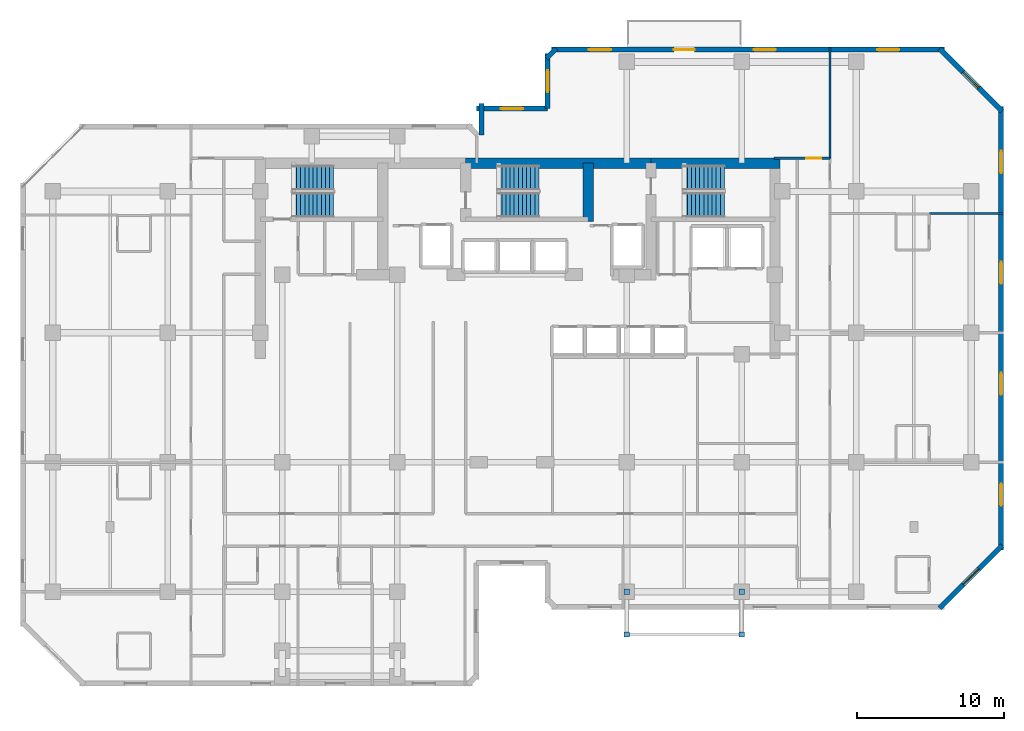
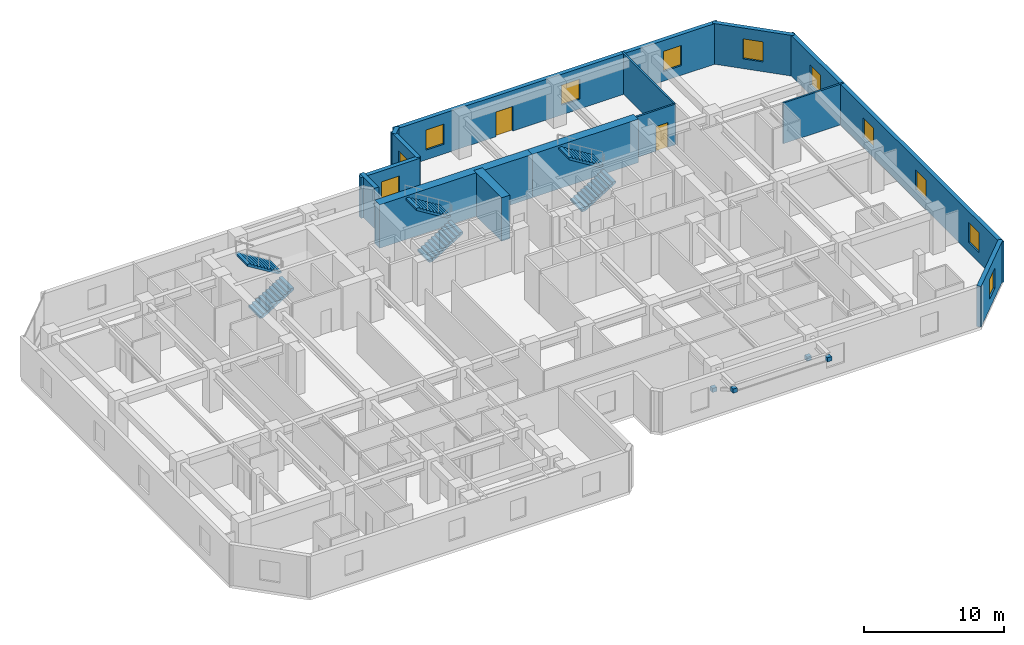
# One storey, part 9 of 10: 14 walls, 11 windows, 6 stair flights, 4 discrete accessories, 2 doors, 13 openings, 3 elements without a shape of their own.
"""IFC4 building model written with IfcOpenShell, lengths in metres."""

from ifc_helpers import new_model, si_unit, direction, frame, frame_2d, origin, origin_2d, place, context, subcontext, project, spatial, polyline, rectangle, outline, extrude, material, layer, layer_set, type_object, element, fill, aggregate, save


model = new_model("IFC4")

# Units and contexts
model_context = context("Model", 3, precision=1e-05, world=origin(), true_north=direction((0.0, 1.0)))
body_context = subcontext(model_context, "Body", "Model", "MODEL_VIEW")
ifc_project = project(units=[si_unit("LENGTHUNIT", "METRE"), si_unit("AREAUNIT", "SQUARE_METRE"), si_unit("VOLUMEUNIT", "CUBIC_METRE"), si_unit("PLANEANGLEUNIT", "RADIAN"), si_unit("MASSUNIT", "GRAM", prefix="KILO")], contexts=[model_context])

# Site, building, storey
site_placement = place(None, origin())
site = spatial("IfcSite", under=ifc_project, at=site_placement, CompositionType="ELEMENT")
building_placement = place(site_placement, origin())
building = spatial("IfcBuilding", under=site, at=building_placement, Name="Kestravale Grand Hotel", CompositionType="ELEMENT")
storey_placement = place(building_placement, frame((0.0, 0.0, 153.60009765625)))
storey = spatial("IfcBuildingStorey", under=building, at=storey_placement, Name="L38", CompositionType="ELEMENT", Elevation=153.60009765625)

# Walls
ifc_material_1 = material(Name="Concrete f'c 60 MPa", Category="concrete")
ifc_layer_1 = layer(ifc_material_1, 0.699951171875)
ifc_layer_set_1 = layer_set([ifc_layer_1], Name="EW-CORE-700")
wall_type_1 = type_object("IfcWallType", Name="EW-CORE-700", PredefinedType="SHEAR", material=ifc_layer_set_1)
wall_1_placement = place(storey_placement, frame((35.85009765625, 40.320068359375, 0.0), z_axis=(0.0, 0.0, 1.0), x_axis=(1.0, 0.0, 0.0)))
element("IfcWall", 1, at=wall_1_placement, inside=storey, type_object=wall_type_1, Name="L38 core shear wall N2", PredefinedType="SHEAR", context=body_context, shape_type="SweptSolid", body=[
    extrude(rectangle(XDim=12.599853515625, YDim=0.699951171875, at=frame_2d((6.2998046875, 0.0))), origin(), (0.0, 0.0, 1.0), 3.7998046875),
])
wall_2_placement = place(storey_placement, frame((48.449951171875, 40.320068359375, 0.0), z_axis=(0.0, 0.0, 1.0), x_axis=(1.0, 0.0, 0.0)))
element("IfcWall", 2, at=wall_2_placement, inside=storey, type_object=wall_type_1, Name="L38 core shear wall N3", PredefinedType="SHEAR", context=body_context, shape_type="SweptSolid", body=[
    extrude(rectangle(XDim=8.77001953125, YDim=0.699951171875, at=frame_2d((4.385009765625, 0.0))), origin(), (0.0, 0.0, 1.0), 3.7998046875),
])
wall_3_placement = place(storey_placement, frame((44.179931640625, 36.3701171875, 0.0), z_axis=(0.0, 0.0, 1.0), x_axis=(0.0, 1.0, 0.0)))
element("IfcWall", 3, at=wall_3_placement, inside=storey, type_object=wall_type_1, Name="L38 core shear wall X3", PredefinedType="SHEAR", context=body_context, shape_type="SweptSolid", body=[
    extrude(rectangle(XDim=3.949951171875, YDim=0.699951171875, at=frame_2d((1.97509765625, 0.0))), origin(), (0.0, 0.0, 1.0), 3.7998046875),
])

# Wall, opening, window
ifc_material_2 = material(Name="Precast concrete f'c 45 MPa", Category="concrete")
ifc_layer_2 = layer(ifc_material_2, 0.340087890625)
ifc_layer_set_2 = layer_set([ifc_layer_2], Name="EW-PREC-340")
wall_type_2 = type_object("IfcWallType", Name="EW-PREC-340", PredefinedType="SOLIDWALL", material=ifc_layer_set_2)
wall_4_placement = place(storey_placement, frame((68.051513671875, 10.091796875, 0.0), z_axis=(0.0, 0.0, 1.0), x_axis=(0.707106781187, 0.707106781187, 0.0)))
wall_4 = element("IfcWall", 4, at=wall_4_placement, inside=storey, type_object=wall_type_2, Name="L38 fluted precast facade wall 8", PredefinedType="SOLIDWALL", context=body_context, shape_type="SweptSolid", body=[
    extrude(rectangle(XDim=6.019775390625, YDim=0.340087890625, at=frame_2d((3.009765625, 0.0))), origin(), (0.0, 0.0, 1.0), 3.5498046875),
])
opening_1_placement = place(wall_4_placement, frame((2.260009765625, 0.0, 0.85009765625)))
opening_1 = element("IfcOpeningElement", 5, at=opening_1_placement, cuts=wall_4, Name="Opening W-GUEST-1500", PredefinedType="OPENING", context=body_context, shape_type="SweptSolid", body=[
    extrude(rectangle(XDim=1.5, YDim=1.75, at=frame_2d((0.75, 0.875))), frame((0.0, 0.179931640625, 0.0), z_axis=(0.0, -1.0, 0.0), x_axis=(1.0, 0.0, 0.0)), (0.0, 0.0, 1.0), 0.360107421875),
])
ifc_material_3 = material(Name="Insulated low-E double glazing in aluminium frame", Category="aluminium")
window_type = type_object("IfcWindowType", Name="W-GUEST-1500", PartitioningType="SINGLE_PANEL", PredefinedType="WINDOW", material=ifc_material_3)
window_1_placement = place(opening_1_placement, origin())
window_1 = element("IfcWindow", 6, at=window_1_placement, inside=storey, type_object=window_type, Name="L38 exterior window 8.1", OverallHeight=1.75, OverallWidth=1.5, PartitioningType="SINGLE_PANEL", PredefinedType="WINDOW", context=body_context, shape_type="SweptSolid", body=[
    extrude(rectangle(XDim=1.5, YDim=1.75, at=frame_2d((0.75, 0.875))), frame((0.0, 0.030029296875, 0.0), z_axis=(0.0, -1.0, 0.0), x_axis=(1.0, 0.0, 0.0)), (0.0, 0.0, 1.0), 0.06005859375),
])
fill(opening_1, window_1)

# Wall, openings, windows
wall_5_placement = place(storey_placement, frame((72.22998046875, 14.030029296875, 0.0), z_axis=(0.0, 0.0, 1.0), x_axis=(0.0, 1.0, 0.0)))
wall_5 = element("IfcWall", 7, at=wall_5_placement, inside=storey, type_object=wall_type_2, Name="L38 fluted precast facade wall 9", PredefinedType="SOLIDWALL", context=body_context, shape_type="SweptSolid", body=[
    extrude(rectangle(XDim=30.139892578125, YDim=0.340087890625, at=frame_2d((15.06982421875, 0.0))), origin(), (0.0, 0.0, 1.0), 3.5498046875),
])
opening_2_placement = place(wall_5_placement, frame((3.017578125, 0.0, 0.85009765625)))
opening_2 = element("IfcOpeningElement", 8, at=opening_2_placement, cuts=wall_5, Name="Opening W-GUEST-1500", PredefinedType="OPENING", context=body_context, shape_type="SweptSolid", body=[
    extrude(rectangle(XDim=1.5, YDim=1.75, at=frame_2d((0.75, 0.875))), frame((0.0, 0.179931640625, 0.0), z_axis=(0.0, -1.0, 0.0), x_axis=(1.0, 0.0, 0.0)), (0.0, 0.0, 1.0), 0.360107421875),
])
opening_3_placement = place(wall_5_placement, frame((10.552490234375, 0.0, 0.85009765625)))
opening_3 = element("IfcOpeningElement", 9, at=opening_3_placement, cuts=wall_5, Name="Opening W-GUEST-1500", PredefinedType="OPENING", context=body_context, shape_type="SweptSolid", body=[
    extrude(rectangle(XDim=1.5, YDim=1.75, at=frame_2d((0.75, 0.875))), frame((0.0, 0.179931640625, 0.0), z_axis=(0.0, -1.0, 0.0), x_axis=(1.0, 0.0, 0.0)), (0.0, 0.0, 1.0), 0.360107421875),
])
opening_4_placement = place(wall_5_placement, frame((18.08740234375, 0.0, 0.85009765625)))
opening_4 = element("IfcOpeningElement", 10, at=opening_4_placement, cuts=wall_5, Name="Opening W-GUEST-1500", PredefinedType="OPENING", context=body_context, shape_type="SweptSolid", body=[
    extrude(rectangle(XDim=1.5, YDim=1.75, at=frame_2d((0.75, 0.875))), frame((0.0, 0.179931640625, 0.0), z_axis=(0.0, -1.0, 0.0), x_axis=(1.0, 0.0, 0.0)), (0.0, 0.0, 1.0), 0.360107421875),
])
opening_5_placement = place(wall_5_placement, frame((25.62255859375, 0.0, 0.85009765625)))
opening_5 = element("IfcOpeningElement", 11, at=opening_5_placement, cuts=wall_5, Name="Opening W-GUEST-1500", PredefinedType="OPENING", context=body_context, shape_type="SweptSolid", body=[
    extrude(rectangle(XDim=1.5, YDim=1.75, at=frame_2d((0.75, 0.875))), frame((0.0, 0.179931640625, 0.0), z_axis=(0.0, -1.0, 0.0), x_axis=(1.0, 0.0, 0.0)), (0.0, 0.0, 1.0), 0.360107421875),
])
window_2_placement = place(opening_2_placement, origin())
window_2 = element("IfcWindow", 12, at=window_2_placement, inside=storey, type_object=window_type, Name="L38 exterior window 9.1", OverallHeight=1.75, OverallWidth=1.5, PartitioningType="SINGLE_PANEL", PredefinedType="WINDOW", context=body_context, shape_type="SweptSolid", body=[
    extrude(rectangle(XDim=1.5, YDim=1.75, at=frame_2d((0.75, 0.875))), frame((0.0, 0.030029296875, 0.0), z_axis=(0.0, -1.0, 0.0), x_axis=(1.0, 0.0, 0.0)), (0.0, 0.0, 1.0), 0.06005859375),
])
fill(opening_2, window_2)
window_3_placement = place(opening_3_placement, origin())
window_3 = element("IfcWindow", 13, at=window_3_placement, inside=storey, type_object=window_type, Name="L38 exterior window 9.2", OverallHeight=1.75, OverallWidth=1.5, PartitioningType="SINGLE_PANEL", PredefinedType="WINDOW", context=body_context, shape_type="SweptSolid", body=[
    extrude(rectangle(XDim=1.5, YDim=1.75, at=frame_2d((0.75, 0.875))), frame((0.0, 0.030029296875, 0.0), z_axis=(0.0, -1.0, 0.0), x_axis=(1.0, 0.0, 0.0)), (0.0, 0.0, 1.0), 0.06005859375),
])
fill(opening_3, window_3)
window_4_placement = place(opening_4_placement, origin())
window_4 = element("IfcWindow", 14, at=window_4_placement, inside=storey, type_object=window_type, Name="L38 exterior window 9.3", OverallHeight=1.75, OverallWidth=1.5, PartitioningType="SINGLE_PANEL", PredefinedType="WINDOW", context=body_context, shape_type="SweptSolid", body=[
    extrude(rectangle(XDim=1.5, YDim=1.75, at=frame_2d((0.75, 0.875))), frame((0.0, 0.030029296875, 0.0), z_axis=(0.0, -1.0, 0.0), x_axis=(1.0, 0.0, 0.0)), (0.0, 0.0, 1.0), 0.06005859375),
])
fill(opening_4, window_4)
window_5_placement = place(opening_5_placement, origin())
window_5 = element("IfcWindow", 15, at=window_5_placement, inside=storey, type_object=window_type, Name="L38 exterior window 9.4", OverallHeight=1.75, OverallWidth=1.5, PartitioningType="SINGLE_PANEL", PredefinedType="WINDOW", context=body_context, shape_type="SweptSolid", body=[
    extrude(rectangle(XDim=1.5, YDim=1.75, at=frame_2d((0.75, 0.875))), frame((0.0, 0.030029296875, 0.0), z_axis=(0.0, -1.0, 0.0), x_axis=(1.0, 0.0, 0.0)), (0.0, 0.0, 1.0), 0.06005859375),
])
fill(opening_5, window_5)

# Wall, opening, window
wall_6_placement = place(storey_placement, frame((72.30810546875, 43.8515625, 0.0), z_axis=(0.0, 0.0, 1.0), x_axis=(-0.707106781187, 0.707106781187, 0.0)))
wall_6 = element("IfcWall", 16, at=wall_6_placement, inside=storey, type_object=wall_type_2, Name="L38 fluted precast facade wall 10", PredefinedType="SOLIDWALL", context=body_context, shape_type="SweptSolid", body=[
    extrude(rectangle(XDim=6.019775390625, YDim=0.340087890625, at=frame_2d((3.009765625, 0.0))), origin(), (0.0, 0.0, 1.0), 3.5498046875),
])
opening_6_placement = place(wall_6_placement, frame((2.260009765625, 0.0, 0.85009765625)))
opening_6 = element("IfcOpeningElement", 17, at=opening_6_placement, cuts=wall_6, Name="Opening W-GUEST-1500", PredefinedType="OPENING", context=body_context, shape_type="SweptSolid", body=[
    extrude(rectangle(XDim=1.5, YDim=1.75, at=frame_2d((0.75, 0.875))), frame((0.0, 0.179931640625, 0.0), z_axis=(0.0, -1.0, 0.0), x_axis=(1.0, 0.0, 0.0)), (0.0, 0.0, 1.0), 0.360107421875),
])
window_6_placement = place(opening_6_placement, origin())
window_6 = element("IfcWindow", 18, at=window_6_placement, inside=storey, type_object=window_type, Name="L38 exterior window 10.1", OverallHeight=1.75, OverallWidth=1.5, PartitioningType="SINGLE_PANEL", PredefinedType="WINDOW", context=body_context, shape_type="SweptSolid", body=[
    extrude(rectangle(XDim=1.5, YDim=1.75, at=frame_2d((0.75, 0.875))), frame((0.0, 0.030029296875, 0.0), z_axis=(0.0, -1.0, 0.0), x_axis=(1.0, 0.0, 0.0)), (0.0, 0.0, 1.0), 0.06005859375),
])
fill(opening_6, window_6)

# Wall, openings, door, windows
wall_7_placement = place(storey_placement, frame((68.3701171875, 48.030029296875, 0.0), z_axis=(0.0, 0.0, 1.0), x_axis=(-1.0, 0.0, 0.0)))
wall_7 = element("IfcWall", 19, at=wall_7_placement, inside=storey, type_object=wall_type_2, Name="L38 fluted precast facade wall 11", PredefinedType="SOLIDWALL", context=body_context, shape_type="SweptSolid", body=[
    extrude(rectangle(XDim=26.690185546875, YDim=0.340087890625, at=frame_2d((13.34521484375, 0.0))), origin(), (0.0, 0.0, 1.0), 3.5498046875),
])
opening_7_placement = place(wall_7_placement, frame((16.969970703125, 0.0, 0.0)))
opening_7 = element("IfcOpeningElement", 20, at=opening_7_placement, cuts=wall_7, Name="Opening D-TERR-1400", PredefinedType="OPENING", context=body_context, shape_type="SweptSolid", body=[
    extrude(rectangle(XDim=1.39990234375, YDim=2.14990234375, at=frame_2d((0.699951171875, 1.074951171875))), frame((0.0, 0.179931640625, 0.0), z_axis=(0.0, -1.0, 0.0), x_axis=(1.0, 0.0, 0.0)), (0.0, 0.0, 1.0), 0.360107421875),
])
opening_8_placement = place(wall_7_placement, frame((3.04833984375, 0.0, 0.85009765625)))
opening_8 = element("IfcOpeningElement", 21, at=opening_8_placement, cuts=wall_7, Name="Opening W-GUEST-1500", PredefinedType="OPENING", context=body_context, shape_type="SweptSolid", body=[
    extrude(rectangle(XDim=1.5, YDim=1.75, at=frame_2d((0.75, 0.875))), frame((0.0, 0.179931640625, 0.0), z_axis=(0.0, -1.0, 0.0), x_axis=(1.0, 0.0, 0.0)), (0.0, 0.0, 1.0), 0.360107421875),
])
opening_9_placement = place(wall_7_placement, frame((11.445068359375, 0.0, 0.85009765625)))
opening_9 = element("IfcOpeningElement", 22, at=opening_9_placement, cuts=wall_7, Name="Opening W-GUEST-1500", PredefinedType="OPENING", context=body_context, shape_type="SweptSolid", body=[
    extrude(rectangle(XDim=1.5, YDim=1.75, at=frame_2d((0.75, 0.875))), frame((0.0, 0.179931640625, 0.0), z_axis=(0.0, -1.0, 0.0), x_axis=(1.0, 0.0, 0.0)), (0.0, 0.0, 1.0), 0.360107421875),
])
opening_10_placement = place(wall_7_placement, frame((22.6416015625, 0.0, 0.85009765625)))
opening_10 = element("IfcOpeningElement", 23, at=opening_10_placement, cuts=wall_7, Name="Opening W-GUEST-1500", PredefinedType="OPENING", context=body_context, shape_type="SweptSolid", body=[
    extrude(rectangle(XDim=1.5, YDim=1.75, at=frame_2d((0.75, 0.875))), frame((0.0, 0.179931640625, 0.0), z_axis=(0.0, -1.0, 0.0), x_axis=(1.0, 0.0, 0.0)), (0.0, 0.0, 1.0), 0.360107421875),
])
ifc_material_4 = material(Name="Insulated glazed champagne-bronze aluminium door", Category="aluminium")
door_type_1 = type_object("IfcDoorType", Name="D-TERR-1400", OperationType="NOTDEFINED", PredefinedType="DOOR", material=ifc_material_4)
door_1_placement = place(opening_7_placement, origin())
door_1 = element("IfcDoor", 24, at=door_1_placement, inside=storey, type_object=door_type_1, Name="L38 outdoor garden terrace door", OperationType="DOUBLE_DOOR_SINGLE_SWING", OverallHeight=2.14990234375, OverallWidth=1.39990234375, PredefinedType="DOOR", context=body_context, shape_type="SweptSolid", body=[
    extrude(rectangle(XDim=1.39990234375, YDim=2.14990234375, at=frame_2d((0.699951171875, 1.074951171875))), frame((0.0, 0.02490234375, 0.0), z_axis=(0.0, -1.0, 0.0), x_axis=(1.0, 0.0, 0.0)), (0.0, 0.0, 1.0), 0.050048828125),
])
fill(opening_7, door_1)
window_7_placement = place(opening_8_placement, origin())
window_7 = element("IfcWindow", 25, at=window_7_placement, inside=storey, type_object=window_type, Name="L38 exterior window 11.1", OverallHeight=1.75, OverallWidth=1.5, PartitioningType="SINGLE_PANEL", PredefinedType="WINDOW", context=body_context, shape_type="SweptSolid", body=[
    extrude(rectangle(XDim=1.5, YDim=1.75, at=frame_2d((0.75, 0.875))), frame((0.0, 0.030029296875, 0.0), z_axis=(0.0, -1.0, 0.0), x_axis=(1.0, 0.0, 0.0)), (0.0, 0.0, 1.0), 0.06005859375),
])
fill(opening_8, window_7)
window_8_placement = place(opening_9_placement, origin())
window_8 = element("IfcWindow", 26, at=window_8_placement, inside=storey, type_object=window_type, Name="L38 exterior window 11.2", OverallHeight=1.75, OverallWidth=1.5, PartitioningType="SINGLE_PANEL", PredefinedType="WINDOW", context=body_context, shape_type="SweptSolid", body=[
    extrude(rectangle(XDim=1.5, YDim=1.75, at=frame_2d((0.75, 0.875))), frame((0.0, 0.030029296875, 0.0), z_axis=(0.0, -1.0, 0.0), x_axis=(1.0, 0.0, 0.0)), (0.0, 0.0, 1.0), 0.06005859375),
])
fill(opening_9, window_8)
window_9_placement = place(opening_10_placement, origin())
window_9 = element("IfcWindow", 27, at=window_9_placement, inside=storey, type_object=window_type, Name="L38 exterior window 11.3", OverallHeight=1.75, OverallWidth=1.5, PartitioningType="SINGLE_PANEL", PredefinedType="WINDOW", context=body_context, shape_type="SweptSolid", body=[
    extrude(rectangle(XDim=1.5, YDim=1.75, at=frame_2d((0.75, 0.875))), frame((0.0, 0.030029296875, 0.0), z_axis=(0.0, -1.0, 0.0), x_axis=(1.0, 0.0, 0.0)), (0.0, 0.0, 1.0), 0.06005859375),
])
fill(opening_10, window_9)

# Wall
wall_8_placement = place(storey_placement, frame((41.99853515625, 48.108154296875, 0.0), z_axis=(0.0, 0.0, 1.0), x_axis=(-0.707106781187, -0.707106781187, 0.0)))
element("IfcWall", 28, at=wall_8_placement, inside=storey, type_object=wall_type_2, Name="L38 fluted precast facade wall 12", PredefinedType="SOLIDWALL", context=body_context, shape_type="SweptSolid", body=[
    extrude(rectangle(XDim=0.9287109375, YDim=0.340087890625, at=frame_2d((0.46435546875, 0.0))), origin(), (0.0, 0.0, 1.0), 3.5498046875),
])

# Wall, opening, window
wall_9_placement = place(storey_placement, frame((41.419921875, 47.77001953125, 0.0), z_axis=(0.0, 0.0, 1.0), x_axis=(0.0, -1.0, 0.0)))
wall_9 = element("IfcWall", 29, at=wall_9_placement, inside=storey, type_object=wall_type_2, Name="L38 fluted precast facade wall 13", PredefinedType="SOLIDWALL", context=body_context, shape_type="SweptSolid", body=[
    extrude(rectangle(XDim=3.739990234375, YDim=0.340087890625, at=frame_2d((1.8701171875, 0.0))), origin(), (0.0, 0.0, 1.0), 3.5498046875),
])
opening_11_placement = place(wall_9_placement, frame((1.1201171875, 0.0, 0.85009765625)))
opening_11 = element("IfcOpeningElement", 30, at=opening_11_placement, cuts=wall_9, Name="Opening W-GUEST-1500", PredefinedType="OPENING", context=body_context, shape_type="SweptSolid", body=[
    extrude(rectangle(XDim=1.5, YDim=1.75, at=frame_2d((0.75, 0.875))), frame((0.0, 0.179931640625, 0.0), z_axis=(0.0, -1.0, 0.0), x_axis=(1.0, 0.0, 0.0)), (0.0, 0.0, 1.0), 0.360107421875),
])
window_10_placement = place(opening_11_placement, origin())
window_10 = element("IfcWindow", 31, at=window_10_placement, inside=storey, type_object=window_type, Name="L38 exterior window 13.1", OverallHeight=1.75, OverallWidth=1.5, PartitioningType="SINGLE_PANEL", PredefinedType="WINDOW", context=body_context, shape_type="SweptSolid", body=[
    extrude(rectangle(XDim=1.5, YDim=1.75, at=frame_2d((0.75, 0.875))), frame((0.0, 0.030029296875, 0.0), z_axis=(0.0, -1.0, 0.0), x_axis=(1.0, 0.0, 0.0)), (0.0, 0.0, 1.0), 0.06005859375),
])
fill(opening_11, window_10)

wall_10_placement = place(storey_placement, frame((41.419921875, 44.030029296875, 0.0), z_axis=(0.0, 0.0, 1.0), x_axis=(-1.0, 0.0, 0.0)))
wall_10 = element("IfcWall", 32, at=wall_10_placement, inside=storey, type_object=wall_type_2, Name="L38 fluted precast facade wall 14", PredefinedType="SOLIDWALL", context=body_context, shape_type="SweptSolid", body=[
    extrude(rectangle(XDim=4.83984375, YDim=0.340087890625, at=frame_2d((2.419921875, 0.0))), origin(), (0.0, 0.0, 1.0), 3.5498046875),
])
opening_12_placement = place(wall_10_placement, frame((1.669921875, 0.0, 0.85009765625)))
opening_12 = element("IfcOpeningElement", 33, at=opening_12_placement, cuts=wall_10, Name="Opening W-GUEST-1500", PredefinedType="OPENING", context=body_context, shape_type="SweptSolid", body=[
    extrude(rectangle(XDim=1.5, YDim=1.75, at=frame_2d((0.75, 0.875))), frame((0.0, 0.179931640625, 0.0), z_axis=(0.0, -1.0, 0.0), x_axis=(1.0, 0.0, 0.0)), (0.0, 0.0, 1.0), 0.360107421875),
])
window_11_placement = place(opening_12_placement, origin())
window_11 = element("IfcWindow", 34, at=window_11_placement, inside=storey, type_object=window_type, Name="L38 exterior window 14.1", OverallHeight=1.75, OverallWidth=1.5, PartitioningType="SINGLE_PANEL", PredefinedType="WINDOW", context=body_context, shape_type="SweptSolid", body=[
    extrude(rectangle(XDim=1.5, YDim=1.75, at=frame_2d((0.75, 0.875))), frame((0.0, 0.030029296875, 0.0), z_axis=(0.0, -1.0, 0.0), x_axis=(1.0, 0.0, 0.0)), (0.0, 0.0, 1.0), 0.06005859375),
])
fill(opening_12, window_11)

# Wall
wall_11_placement = place(storey_placement, frame((36.919921875, 44.3701171875, 0.0), z_axis=(0.0, 0.0, 1.0), x_axis=(0.0, -1.0, 0.0)))
element("IfcWall", 35, at=wall_11_placement, inside=storey, type_object=wall_type_2, Name="L38 fluted precast facade wall 15", PredefinedType="SOLIDWALL", context=body_context, shape_type="SweptSolid", body=[
    extrude(rectangle(XDim=2.14013671875, YDim=0.340087890625, at=frame_2d((1.070068359375, 0.0))), origin(), (0.0, 0.0, 1.0), 3.5498046875),
])

# Wall, opening, door
ifc_material_5 = material(Name="Double-stud STC 52 acoustic demising partition", Category="other")
ifc_layer_3 = layer(ifc_material_5, 0.14990234375)
ifc_layer_set_3 = layer_set([ifc_layer_3], Name="IW-UNIT-150")
wall_type_3 = type_object("IfcWallType", Name="IW-UNIT-150", PredefinedType="PARTITIONING", material=ifc_layer_set_3)
wall_12_placement = place(storey_placement, frame((56.800048828125, 40.64990234375, 0.0), z_axis=(0.0, 0.0, 1.0), x_axis=(1.0, 0.0, 0.0)))
wall_12 = element("IfcWall", 36, at=wall_12_placement, inside=storey, type_object=wall_type_3, Name="W-L38-SE-N", PredefinedType="PARTITIONING", context=body_context, shape_type="SweptSolid", body=[
    extrude(rectangle(XDim=3.81005859375, YDim=0.14990234375, at=frame_2d((1.905029296875, 0.0))), origin(), (0.0, 0.0, 1.0), 3.5498046875),
])
opening_13_placement = place(wall_12_placement, frame((2.199951171875, 0.0, 0.0)))
opening_13 = element("IfcOpeningElement", 37, at=opening_13_placement, cuts=wall_12, Name="Opening D-GUEST-1000", PredefinedType="OPENING", context=body_context, shape_type="SweptSolid", body=[
    extrude(rectangle(XDim=1.0, YDim=2.14990234375, at=frame_2d((0.5, 1.074951171875))), frame((0.0, 0.0849609375, 0.0), z_axis=(0.0, -1.0, 0.0), x_axis=(1.0, 0.0, 0.0)), (0.0, 0.0, 1.0), 0.169921875),
])
ifc_material_6 = material(Name="Accessible walnut veneer hotel entrance fire door", Category="wood")
door_type_2 = type_object("IfcDoorType", Name="D-GUEST-1000", OperationType="NOTDEFINED", PredefinedType="DOOR", material=ifc_material_6)
door_2_placement = place(opening_13_placement, origin())
door_2 = element("IfcDoor", 38, at=door_2_placement, inside=storey, type_object=door_type_2, Name="L38 NE Gallery Door", OperationType="SINGLE_SWING_LEFT", OverallHeight=2.14990234375, OverallWidth=1.0, PredefinedType="DOOR", context=body_context, shape_type="SweptSolid", body=[
    extrude(rectangle(XDim=1.0, YDim=2.14990234375, at=frame_2d((0.5, 1.074951171875))), frame((0.0, 0.02490234375, 0.0), z_axis=(0.0, -1.0, 0.0), x_axis=(1.0, 0.0, 0.0)), (0.0, 0.0, 1.0), 0.050048828125),
])
fill(opening_13, door_2)

# Walls
wall_13_placement = place(storey_placement, frame((60.610107421875, 40.64990234375, 0.0), z_axis=(0.0, 0.0, 1.0), x_axis=(0.0, 1.0, 0.0)))
element("IfcWall", 39, at=wall_13_placement, inside=storey, type_object=wall_type_3, Name="W-L38-NGE-E", PredefinedType="PARTITIONING", context=body_context, shape_type="SweptSolid", body=[
    extrude(rectangle(XDim=7.530029296875, YDim=0.14990234375, at=frame_2d((3.76513671875, 0.0))), origin(), (0.0, 0.0, 1.0), 3.5498046875),
])
wall_14_placement = place(storey_placement, frame((67.35009765625, 36.89990234375, 0.0), z_axis=(0.0, 0.0, 1.0), x_axis=(1.0, 0.0, 0.0)))
element("IfcWall", 40, at=wall_14_placement, inside=storey, type_object=wall_type_3, Name="W-L38-EW-3", PredefinedType="PARTITIONING", context=body_context, shape_type="SweptSolid", body=[
    extrude(rectangle(XDim=5.02978515625, YDim=0.14990234375, at=frame_2d((2.514892578125, 0.0))), origin(), (0.0, 0.0, 1.0), 3.5498046875),
])

# Stair, stair flights
ifc_material_7 = material(Name="Concrete f'c 45 MPa", Category="concrete")
stair_type = type_object("IfcStairType", Name="ST-CORE-380", PredefinedType="HALF_TURN_STAIR", material=ifc_material_7)
stair_1_placement = place(storey_placement, origin())
stair_1 = element("IfcStair", 41, at=stair_1_placement, inside=storey, type_object=stair_type, Name="L38 ST-1", PredefinedType="HALF_TURN_STAIR")
ifc_material_8 = material(Name="Concrete f'c 45 MPa", Category="concrete")
stair_flight_type = type_object("IfcStairFlightType", Name="STF-CORE-380", PredefinedType="STRAIGHT", material=ifc_material_8)
stair_flight_1_placement = place(storey_placement, frame((24.080078125, 37.489990234375, 0.0), z_axis=(0.0, 0.0, 1.0), x_axis=(1.0, 0.0, 0.0)))
stair_flight_1 = element("IfcStairFlight", 42, at=stair_flight_1_placement, type_object=stair_flight_type, Name="ST-1 flight 1", NumberOfRisers=11, NumberOfTreads=10, PredefinedType="STRAIGHT", RiserHeight=0.172727273, TreadLength=0.28, context=body_context, shape_type="SweptSolid", body=[
    extrude(outline(polyline([(0.0, 0.0), (0.0, 0.172607421875), (0.280029296875, 0.172607421875), (0.280029296875, 0.345458984375), (0.56005859375, 0.345458984375), (0.56005859375, 0.51806640625), (0.840087890625, 0.51806640625), (0.840087890625, 0.69091796875), (1.1201171875, 0.69091796875), (1.1201171875, 0.863525390625), (1.39990234375, 0.863525390625), (1.39990234375, 1.036376953125), (1.679931640625, 1.036376953125), (1.679931640625, 1.208984375), (1.9599609375, 1.208984375), (1.9599609375, 1.3818359375), (2.239990234375, 1.3818359375), (2.239990234375, 1.554443359375), (2.52001953125, 1.554443359375), (2.52001953125, 1.727294921875), (2.800048828125, 1.727294921875), (2.800048828125, 1.89990234375), (2.800048828125, 1.551025390625), (0.285400390625, 0.0), (0.0, 0.0)])), frame((0.0, 0.83984375, 0.0), z_axis=(0.0, -1.0, 0.0), x_axis=(1.0, 0.0, 0.0)), (0.0, 0.0, 1.0), 1.679931640625),
])
stair_flight_2_placement = place(storey_placement, frame((26.8798828125, 39.320068359375, 1.89990234375), z_axis=(0.0, 0.0, 1.0), x_axis=(-1.0, 0.0, 0.0)))
stair_flight_2 = element("IfcStairFlight", 43, at=stair_flight_2_placement, type_object=stair_flight_type, Name="ST-1 flight 2", NumberOfRisers=11, NumberOfTreads=10, PredefinedType="STRAIGHT", RiserHeight=0.172727273, TreadLength=0.28, context=body_context, shape_type="SweptSolid", body=[
    extrude(outline(polyline([(0.0, 0.0), (0.0, 0.172607421875), (0.280029296875, 0.172607421875), (0.280029296875, 0.345458984375), (0.56005859375, 0.345458984375), (0.56005859375, 0.51806640625), (0.840087890625, 0.51806640625), (0.840087890625, 0.69091796875), (1.1201171875, 0.69091796875), (1.1201171875, 0.863525390625), (1.39990234375, 0.863525390625), (1.39990234375, 1.036376953125), (1.679931640625, 1.036376953125), (1.679931640625, 1.208984375), (1.9599609375, 1.208984375), (1.9599609375, 1.3818359375), (2.239990234375, 1.3818359375), (2.239990234375, 1.554443359375), (2.52001953125, 1.554443359375), (2.52001953125, 1.727294921875), (2.800048828125, 1.727294921875), (2.800048828125, 1.89990234375), (2.800048828125, 1.551025390625), (0.285400390625, 0.0), (0.0, 0.0)])), frame((0.0, 0.83984375, 0.0), z_axis=(0.0, -1.0, 0.0), x_axis=(1.0, 0.0, 0.0)), (0.0, 0.0, 1.0), 1.679931640625),
])
aggregate(stair_1, [stair_flight_1, stair_flight_2])

stair_2_placement = place(storey_placement, origin())
stair_2 = element("IfcStair", 44, at=stair_2_placement, inside=storey, type_object=stair_type, Name="L38 ST-2", PredefinedType="HALF_TURN_STAIR")
stair_flight_3_placement = place(storey_placement, frame((38.030029296875, 37.489990234375, 0.0), z_axis=(0.0, 0.0, 1.0), x_axis=(1.0, 0.0, 0.0)))
stair_flight_3 = element("IfcStairFlight", 45, at=stair_flight_3_placement, type_object=stair_flight_type, Name="ST-2 flight 1", NumberOfRisers=11, NumberOfTreads=10, PredefinedType="STRAIGHT", RiserHeight=0.172727273, TreadLength=0.28, context=body_context, shape_type="SweptSolid", body=[
    extrude(outline(polyline([(0.0, 0.0), (0.0, 0.172607421875), (0.280029296875, 0.172607421875), (0.280029296875, 0.345458984375), (0.56005859375, 0.345458984375), (0.56005859375, 0.51806640625), (0.840087890625, 0.51806640625), (0.840087890625, 0.69091796875), (1.1201171875, 0.69091796875), (1.1201171875, 0.863525390625), (1.39990234375, 0.863525390625), (1.39990234375, 1.036376953125), (1.679931640625, 1.036376953125), (1.679931640625, 1.208984375), (1.9599609375, 1.208984375), (1.9599609375, 1.3818359375), (2.239990234375, 1.3818359375), (2.239990234375, 1.554443359375), (2.52001953125, 1.554443359375), (2.52001953125, 1.727294921875), (2.800048828125, 1.727294921875), (2.800048828125, 1.89990234375), (2.800048828125, 1.551025390625), (0.285400390625, 0.0), (0.0, 0.0)])), frame((0.0, 0.83984375, 0.0), z_axis=(0.0, -1.0, 0.0), x_axis=(1.0, 0.0, 0.0)), (0.0, 0.0, 1.0), 1.679931640625),
])
stair_flight_4_placement = place(storey_placement, frame((40.830078125, 39.320068359375, 1.89990234375), z_axis=(0.0, 0.0, 1.0), x_axis=(-1.0, 0.0, 0.0)))
stair_flight_4 = element("IfcStairFlight", 46, at=stair_flight_4_placement, type_object=stair_flight_type, Name="ST-2 flight 2", NumberOfRisers=11, NumberOfTreads=10, PredefinedType="STRAIGHT", RiserHeight=0.172727273, TreadLength=0.28, context=body_context, shape_type="SweptSolid", body=[
    extrude(outline(polyline([(0.0, 0.0), (0.0, 0.172607421875), (0.280029296875, 0.172607421875), (0.280029296875, 0.345458984375), (0.56005859375, 0.345458984375), (0.56005859375, 0.51806640625), (0.840087890625, 0.51806640625), (0.840087890625, 0.69091796875), (1.1201171875, 0.69091796875), (1.1201171875, 0.863525390625), (1.39990234375, 0.863525390625), (1.39990234375, 1.036376953125), (1.679931640625, 1.036376953125), (1.679931640625, 1.208984375), (1.9599609375, 1.208984375), (1.9599609375, 1.3818359375), (2.239990234375, 1.3818359375), (2.239990234375, 1.554443359375), (2.52001953125, 1.554443359375), (2.52001953125, 1.727294921875), (2.800048828125, 1.727294921875), (2.800048828125, 1.89990234375), (2.800048828125, 1.551025390625), (0.285400390625, 0.0), (0.0, 0.0)])), frame((0.0, 0.83984375, 0.0), z_axis=(0.0, -1.0, 0.0), x_axis=(1.0, 0.0, 0.0)), (0.0, 0.0, 1.0), 1.679931640625),
])
aggregate(stair_2, [stair_flight_3, stair_flight_4])

stair_3_placement = place(storey_placement, origin())
stair_3 = element("IfcStair", 47, at=stair_3_placement, inside=storey, type_object=stair_type, Name="L38 ST-3", PredefinedType="HALF_TURN_STAIR")
stair_flight_5_placement = place(storey_placement, frame((50.6298828125, 37.489990234375, 0.0), z_axis=(0.0, 0.0, 1.0), x_axis=(1.0, 0.0, 0.0)))
stair_flight_5 = element("IfcStairFlight", 48, at=stair_flight_5_placement, type_object=stair_flight_type, Name="ST-3 flight 1", NumberOfRisers=11, NumberOfTreads=10, PredefinedType="STRAIGHT", RiserHeight=0.172727273, TreadLength=0.28, context=body_context, shape_type="SweptSolid", body=[
    extrude(outline(polyline([(0.0, 0.0), (0.0, 0.172607421875), (0.280029296875, 0.172607421875), (0.280029296875, 0.345458984375), (0.56005859375, 0.345458984375), (0.56005859375, 0.51806640625), (0.840087890625, 0.51806640625), (0.840087890625, 0.69091796875), (1.1201171875, 0.69091796875), (1.1201171875, 0.863525390625), (1.39990234375, 0.863525390625), (1.39990234375, 1.036376953125), (1.679931640625, 1.036376953125), (1.679931640625, 1.208984375), (1.9599609375, 1.208984375), (1.9599609375, 1.3818359375), (2.239990234375, 1.3818359375), (2.239990234375, 1.554443359375), (2.52001953125, 1.554443359375), (2.52001953125, 1.727294921875), (2.800048828125, 1.727294921875), (2.800048828125, 1.89990234375), (2.800048828125, 1.551025390625), (0.285400390625, 0.0), (0.0, 0.0)])), frame((0.0, 0.83984375, 0.0), z_axis=(0.0, -1.0, 0.0), x_axis=(1.0, 0.0, 0.0)), (0.0, 0.0, 1.0), 1.679931640625),
])
stair_flight_6_placement = place(storey_placement, frame((53.429931640625, 39.320068359375, 1.89990234375), z_axis=(0.0, 0.0, 1.0), x_axis=(-1.0, 0.0, 0.0)))
stair_flight_6 = element("IfcStairFlight", 49, at=stair_flight_6_placement, type_object=stair_flight_type, Name="ST-3 flight 2", NumberOfRisers=11, NumberOfTreads=10, PredefinedType="STRAIGHT", RiserHeight=0.172727273, TreadLength=0.28, context=body_context, shape_type="SweptSolid", body=[
    extrude(outline(polyline([(0.0, 0.0), (0.0, 0.172607421875), (0.280029296875, 0.172607421875), (0.280029296875, 0.345458984375), (0.56005859375, 0.345458984375), (0.56005859375, 0.51806640625), (0.840087890625, 0.51806640625), (0.840087890625, 0.69091796875), (1.1201171875, 0.69091796875), (1.1201171875, 0.863525390625), (1.39990234375, 0.863525390625), (1.39990234375, 1.036376953125), (1.679931640625, 1.036376953125), (1.679931640625, 1.208984375), (1.9599609375, 1.208984375), (1.9599609375, 1.3818359375), (2.239990234375, 1.3818359375), (2.239990234375, 1.554443359375), (2.52001953125, 1.554443359375), (2.52001953125, 1.727294921875), (2.800048828125, 1.727294921875), (2.800048828125, 1.89990234375), (2.800048828125, 1.551025390625), (0.285400390625, 0.0), (0.0, 0.0)])), frame((0.0, 0.83984375, 0.0), z_axis=(0.0, -1.0, 0.0), x_axis=(1.0, 0.0, 0.0)), (0.0, 0.0, 1.0), 1.679931640625),
])
aggregate(stair_3, [stair_flight_5, stair_flight_6])

# Discrete accessories
ifc_material_9 = material(Name="Steel ASTM A572 Grade 50 hot-dip galvanised bracket", Category="steel")
discrete_accessory_type = type_object("IfcDiscreteAccessoryType", Name="ACC-BRK-STL", PredefinedType="BRACKET", material=ifc_material_9)
for number, where, z_axis, x_axis, name in (
    (50, (46.800048828125, 11.199951171875, 1.19384765625), (0.0, 0.0, 1.0), (1.0, 0.0, 0.0), "L39 terrace strut column bracket 1"),
    (51, (46.800048828125, 8.300048828125, 2.89404296875), (0.0, 0.0, 1.0), (1.0, 0.0, 0.0), "L39 terrace strut beam bracket 1"),
    (52, (54.60009765625, 11.199951171875, 1.19384765625), (0.0, 0.0, 1.0), (1.0, 0.0, 0.0), "L39 terrace strut column bracket 2"),
    (53, (54.60009765625, 8.300048828125, 2.89404296875), (0.0, 0.0, 1.0), (1.0, 0.0, 0.0), "L39 terrace strut beam bracket 2"),
):
    element("IfcDiscreteAccessory", number, at=place(storey_placement, frame(where, z_axis=z_axis, x_axis=x_axis)), inside=storey, type_object=discrete_accessory_type, Name=name, PredefinedType="BRACKET", context=body_context, shape_type="SweptSolid", body=[
        extrude(rectangle(XDim=0.360107421875, YDim=0.360107421875, at=origin_2d()), origin(), (0.0, 0.0, 1.0), 0.360107421875),
    ])

save(model, "model.ifc")
